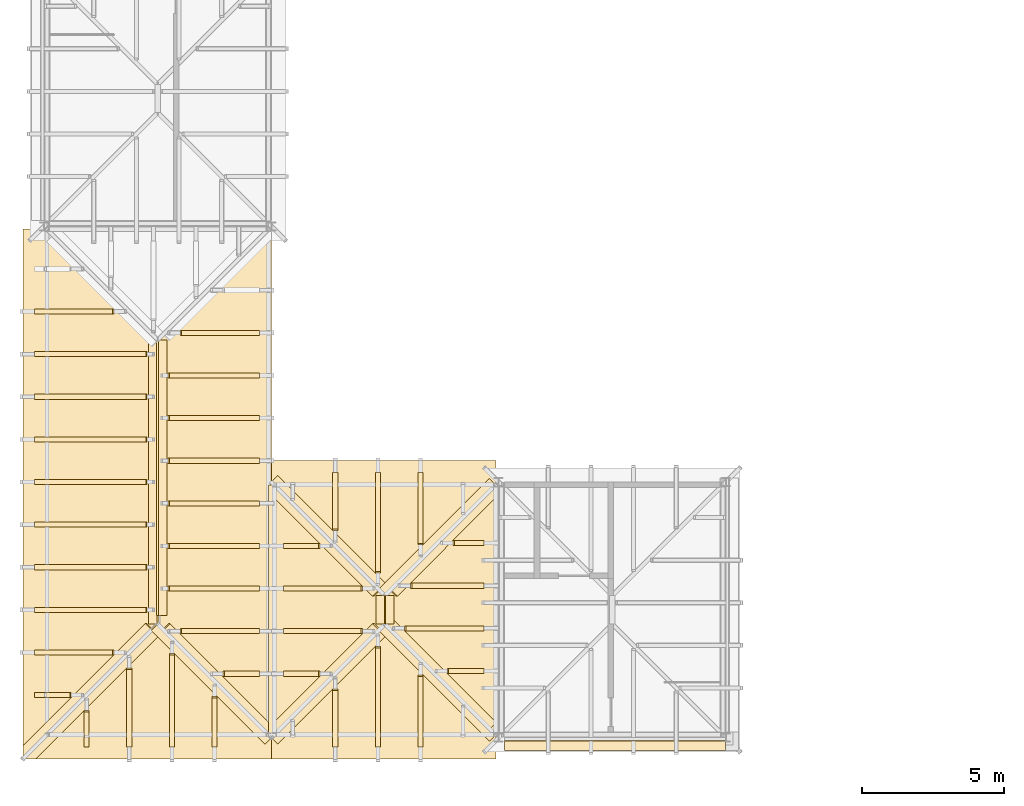
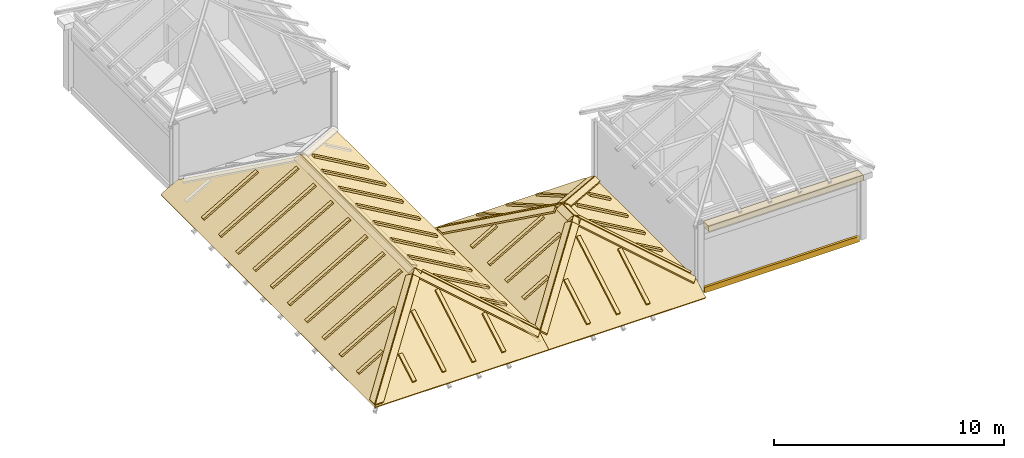
# One storey, part 88 of 111: 63 coverings.
"""IFC4 building model written with IfcOpenShell, lengths in metres."""

from ifc_helpers import new_model, si_unit, direction, frame, origin, origin_2d, place, context, subcontext, project, spatial, polyline, rectangle, outline, extrude, material, layer, layer_set, type_object, element, save


model = new_model("IFC4")

# Units and contexts
model_context = context("Model", 3, precision=1e-05, world=origin(), true_north=direction((0.0, 1.0)))
body_context = subcontext(model_context, "Body", "Model", "MODEL_VIEW")
ifc_project = project(units=[si_unit("LENGTHUNIT", "METRE"), si_unit("AREAUNIT", "SQUARE_METRE"), si_unit("VOLUMEUNIT", "CUBIC_METRE"), si_unit("PLANEANGLEUNIT", "RADIAN"), si_unit("MASSUNIT", "GRAM", prefix="KILO")], contexts=[model_context])

# Site, building, storey
site_placement = place(None, origin())
site = spatial("IfcSite", under=ifc_project, at=site_placement, CompositionType="ELEMENT")
building_placement = place(site_placement, origin())
building = spatial("IfcBuilding", under=site, at=building_placement, Name="Kallimachos Central Library", CompositionType="ELEMENT")
storey_placement = place(building_placement, frame((0.0, 0.0, 14.39990234375)))
storey = spatial("IfcBuildingStorey", under=building, at=storey_placement, Name="L03", CompositionType="ELEMENT", Elevation=14.39990234375)

# Coverings
ifc_material_1 = material(Name="Glazed ceramic hip tile")
ifc_layer_1 = layer(ifc_material_1, 0.1201171875)
ifc_layer_set_1 = layer_set([ifc_layer_1], Name="Ceramic hip tile 300")
covering_type_1 = type_object("IfcCoveringType", Name="Ceramic hip tile 300", PredefinedType="MOLDING", material=ifc_layer_set_1)
covering_1_placement = place(storey_placement, frame((10.01416015625, 12.98583984375, 2.970703125), z_axis=(-0.000177863964, -0.49986378141, 0.866104017078), x_axis=(0.654787398165, -0.654670992406, -0.377702733518)))
element("IfcCovering", 1, at=covering_1_placement, inside=storey, type_object=covering_type_1, Name="R2 hip tile", PredefinedType="MOLDING", context=body_context, shape_type="SweptSolid", body=[
    extrude(outline(polyline([(0.0, 0.0), (0.32401084250448586, 1.3877787807814457e-17), (1.3098145957906078, -6.839545010763546), (1.0321374203480587, -7.160064381506266), (0.0, 0.0)])), origin(), (0.0, 0.0, -1.0), 0.1201171875),
])
covering_2_placement = place(storey_placement, frame((5.25, 8.2783203125, 0.236572265625), z_axis=(-0.500056470053, 6.8806951e-05, 0.865992795596), x_axis=(3.4407361e-05, 0.999999997633, -5.9586324e-05)))
element("IfcCovering", 2, at=covering_2_placement, inside=storey, type_object=covering_type_1, Name="R2 hip tile", PredefinedType="MOLDING", context=body_context, shape_type="SweptSolid", body=[
    extrude(outline(polyline([(0.0, 0.0), (0.4240722646211369, -1.436812724004609e-21), (4.7358398549606715, -4.978517721472949), (4.5236816493257255, -5.223531415251019), (0.0, 0.0)])), origin(), (0.0, 0.0, -1.0), 0.1201171875),
])
covering_3_placement = place(storey_placement, frame((13.98583984375, 8.98583984375, 0.661376953125), z_axis=(0.000349419295, -0.499725714678, 0.866183634107), x_axis=(-0.654787339018, -0.654787339018, -0.377501101091)))
element("IfcCovering", 3, at=covering_3_placement, inside=storey, type_object=covering_type_1, Name="R2 hip tile", PredefinedType="MOLDING", context=body_context, shape_type="SweptSolid", body=[
    extrude(outline(polyline([(0.0, 0.0), (0.32401085128391205, 6.938893903907228e-18), (-0.5477623213763868, -6.047561401386236), (-0.8717731726602993, -6.047561401386235), (0.0, 0.0)])), origin(), (0.0, 0.0, -1.0), 0.1201171875),
])
covering_4_placement = place(storey_placement, frame((10.226318359375, 12.802001953125, 2.848388671875), z_axis=(0.500044897237, 7.3953215e-05, 0.865999477643), x_axis=(0.654649370966, 0.654600991784, -0.378063146377)))
element("IfcCovering", 4, at=covering_4_placement, inside=storey, type_object=covering_type_1, Name="R2 hip tile", PredefinedType="MOLDING", context=body_context, shape_type="SweptSolid", body=[
    extrude(outline(polyline([(0.0, 0.0), (0.324103091970581, -6.938893903907228e-18), (1.1014710053747216, -5.384616891049818), (0.8238728797084032, -5.705204735665491), (0.0, 0.0)])), origin(), (0.0, 0.0, -1.0), 0.1201171875),
])
covering_5_placement = place(storey_placement, frame((9.679931640625, 13.0, 2.794189453125), z_axis=(-0.500230644515, 0.0, 0.865892200154), x_axis=(0.0, 1.0, 0.0)))
element("IfcCovering", 5, at=covering_5_placement, inside=storey, type_object=covering_type_1, Name="R2 ridge tile", PredefinedType="MOLDING", context=body_context, shape_type="SweptSolid", body=[
    extrude(outline(polyline([(0.0, 0.0), (10.0, 0.0), (10.0, -0.3465198416980768), (0.0, -0.3465198416980768), (0.0, 0.0)])), origin(), (0.0, 0.0, -1.0), 0.1201171875),
])
covering_6_placement = place(storey_placement, frame((10.02001953125, 23.0, 2.967529296875), z_axis=(0.500230644515, 0.0, 0.865892200154), x_axis=(0.865892200154, 0.0, -0.500230644515)))
element("IfcCovering", 6, at=covering_6_placement, inside=storey, type_object=covering_type_1, Name="R2 ridge tile", PredefinedType="MOLDING", context=body_context, shape_type="SweptSolid", body=[
    extrude(outline(polyline([(0.0, 0.0), (0.3465198416980768, 0.0), (0.3465198416980768, -9.699951171875), (0.0, -9.699951171875), (0.0, 0.0)])), origin(), (0.0, 0.0, -1.0), 0.1201171875),
])
covering_7_placement = place(storey_placement, frame((14.226318359375, 8.773681640625, 0.5390625), z_axis=(-0.000349419295, -0.499725714678, 0.866183634107), x_axis=(-0.654787339018, 0.654787339018, 0.377501101091)))
element("IfcCovering", 7, at=covering_7_placement, inside=storey, type_object=covering_type_1, Name="R1 hip tile", PredefinedType="MOLDING", context=body_context, shape_type="SweptSolid", body=[
    extrude(outline(polyline([(0.0, 0.0), (0.32401085128391205, -6.938893903907228e-18), (1.1957840239442117, -6.047561401386235), (0.8717731726602993, -6.047561401386235), (0.0, 0.0)])), origin(), (0.0, 0.0, -1.0), 0.1201171875),
])
covering_8_placement = place(storey_placement, frame((14.0, 9.0283203125, 0.669677734375), z_axis=(-0.500044897237, 7.3953215e-05, 0.865999477643), x_axis=(3.6979928e-05, 0.999999997265, -6.4043446e-05)))
element("IfcCovering", 8, at=covering_8_placement, inside=storey, type_object=covering_type_1, Name="R1 hip tile", PredefinedType="MOLDING", context=body_context, shape_type="SweptSolid", body=[
    extrude(outline(polyline([(0.0, 0.0), (0.4240722644653579, 0.0), (3.9858398546494347, -4.1124459351684655), (3.7736816486249953, -4.357459628339648), (0.0, 0.0)])), origin(), (0.0, 0.0, -1.0), 0.1201171875),
])
covering_9_placement = place(storey_placement, frame((21.885986328125, 9.0859375, 0.71923828125), z_axis=(0.000105767282, -0.499916877138, 0.866073383014), x_axis=(-0.655031161735, -0.654441298308, -0.377678122513)))
element("IfcCovering", 9, at=covering_9_placement, inside=storey, type_object=covering_type_1, Name="R1 hip tile", PredefinedType="MOLDING", context=body_context, shape_type="SweptSolid", body=[
    extrude(outline(polyline([(0.0, 0.0), (0.32426294346696494, -1.3877787807814457e-17), (-0.5238578684375791, -5.8965550119644545), (-0.8478686856144441, -5.896659521609351), (0.0, 0.0)])), origin(), (0.0, 0.0, -1.0), 0.1201171875),
])
covering_10_placement = place(storey_placement, frame((18.01416015625, 13.01416015625, 2.970703125), z_axis=(0.499830822626, -0.00024615667, 0.866123021378), x_axis=(0.654707714388, 0.654787386545, -0.377639096417)))
element("IfcCovering", 10, at=covering_10_placement, inside=storey, type_object=covering_type_1, Name="R1 hip tile", PredefinedType="MOLDING", context=body_context, shape_type="SweptSolid", body=[
    extrude(outline(polyline([(0.0, 0.0), (0.32401084717176165, 4.85722573273506e-17), (1.124566231772647, -5.554312032280308), (1.1061823085664182, -5.575532370329881), (0.8037566191182562, -5.575497320784226), (0.0, 0.0)])), origin(), (0.0, 0.0, -1.0), 0.1201171875),
])
covering_11_placement = place(storey_placement, frame((14.01416015625, 18.01416015625, 0.661376953125), z_axis=(-0.000349419295, 0.499725714678, 0.866183634107), x_axis=(0.654787339018, 0.654787339018, -0.377501101091)))
element("IfcCovering", 11, at=covering_11_placement, inside=storey, type_object=covering_type_1, Name="R1 hip tile", PredefinedType="MOLDING", context=body_context, shape_type="SweptSolid", body=[
    extrude(outline(polyline([(0.0, 0.0), (0.32401085128391205, 6.938893903907228e-18), (-0.5477623213763868, -6.047561401386236), (-0.8717731726602993, -6.047561401386235), (0.0, 0.0)])), origin(), (0.0, 0.0, -1.0), 0.1201171875),
])
covering_12_placement = place(storey_placement, frame((17.773681640625, 14.197998046875, 2.848388671875), z_axis=(-0.500044897237, -7.3953215e-05, 0.865999477643), x_axis=(-0.654649370966, -0.654600991784, -0.378063146377)))
element("IfcCovering", 12, at=covering_12_placement, inside=storey, type_object=covering_type_1, Name="R1 hip tile", PredefinedType="MOLDING", context=body_context, shape_type="SweptSolid", body=[
    extrude(outline(polyline([(0.0, 0.0), (0.324103091970581, -6.938893903907228e-18), (1.1014710053747216, -5.384616891049818), (0.8238728797084032, -5.705204735665491), (0.0, 0.0)])), origin(), (0.0, 0.0, -1.0), 0.1201171875),
])
covering_13_placement = place(storey_placement, frame((21.673583984375, 18.126220703125, 0.5966796875), z_axis=(0.000105767282, 0.499916877138, 0.866073383014), x_axis=(0.655031161735, -0.654441298308, 0.377678122513)))
element("IfcCovering", 13, at=covering_13_placement, inside=storey, type_object=covering_type_1, Name="R1 hip tile", PredefinedType="MOLDING", context=body_context, shape_type="SweptSolid", body=[
    extrude(outline(polyline([(0.0, 0.0), (0.32426294346696494, 1.3877787807814457e-17), (1.1721316290814092, -5.896659521609351), (0.8481208119045438, -5.8965550119644545), (0.0, 0.0)])), origin(), (0.0, 0.0, -1.0), 0.1201171875),
])
covering_14_placement = place(storey_placement, frame((21.89990234375, 17.87158203125, 0.727294921875), z_axis=(0.500068459862, -6.3475207e-05, 0.86598587253), x_axis=(-3.1741949e-05, -0.999999997985, -5.4968633e-05)))
element("IfcCovering", 14, at=covering_14_placement, inside=storey, type_object=covering_type_1, Name="R1 hip tile", PredefinedType="MOLDING", context=body_context, shape_type="SweptSolid", body=[
    extrude(outline(polyline([(0.0, 0.0), (0.4240722647706848, 2.873625448009218e-21), (3.8857421953280253, -3.996950230992876), (3.6735839900669918, -4.2419639253535575), (0.0, 0.0)])), origin(), (0.0, 0.0, -1.0), 0.1201171875),
])
covering_15_placement = place(storey_placement, frame((17.679931640625, 13.0, 2.794189453125), z_axis=(-0.500230644515, 0.0, 0.865892200154), x_axis=(0.0, 1.0, 0.0)))
element("IfcCovering", 15, at=covering_15_placement, inside=storey, type_object=covering_type_1, Name="R1 ridge tile", PredefinedType="MOLDING", context=body_context, shape_type="SweptSolid", body=[
    extrude(outline(polyline([(0.0, 0.0), (1.0, 0.0), (1.0, -0.3465198416980768), (0.0, -0.3465198416980768), (0.0, 0.0)])), origin(), (0.0, 0.0, -1.0), 0.1201171875),
])
covering_16_placement = place(storey_placement, frame((18.02001953125, 14.0, 2.967529296875), z_axis=(0.500230644515, 0.0, 0.865892200154), x_axis=(0.865892200154, 0.0, -0.500230644515)))
element("IfcCovering", 16, at=covering_16_placement, inside=storey, type_object=covering_type_1, Name="R1 ridge tile", PredefinedType="MOLDING", context=body_context, shape_type="SweptSolid", body=[
    extrude(outline(polyline([(0.0, 0.0), (0.3465198416980768, 0.0), (0.3465198416980768, -1.0), (0.0, -1.0), (0.0, 0.0)])), origin(), (0.0, 0.0, -1.0), 0.1201171875),
])
ifc_material_2 = material(Name="Glazed ceramic roll tile")
ifc_layer_2 = layer(ifc_material_2, 0.10009765625)
ifc_layer_set_2 = layer_set([ifc_layer_2], Name="Ceramic roll tile rib 180")
covering_type_2 = type_object("IfcCoveringType", Name="Ceramic roll tile rib 180", PredefinedType="ROOFING", material=ifc_layer_set_2)
covering_17_placement = place(storey_placement, frame((7.409912109375, 8.669921875, 0.4560546875), z_axis=(0.0, -0.499984039138, 0.866034618596), x_axis=(0.0, 0.866034618596, 0.499984039138)))
element("IfcCovering", 17, at=covering_17_placement, inside=storey, type_object=covering_type_2, Name="R2 roll tile rib", PredefinedType="ROOFING", context=body_context, shape_type="SweptSolid", body=[
    extrude(outline(polyline([(0.0, 0.0), (1.4272916553597355, 0.0), (1.4272916553597355, -0.18017578125), (0.0, -0.18017578125), (0.0, 0.0)])), origin(), (0.0, 0.0, -1.0), 0.10009765625),
])
covering_18_placement = place(storey_placement, frame((8.909912109375, 8.669921875, 0.4560546875), z_axis=(0.0, -0.499978876315, 0.866037599206), x_axis=(0.0, 0.866037599206, 0.499978876315)))
element("IfcCovering", 18, at=covering_18_placement, inside=storey, type_object=covering_type_2, Name="R2 roll tile rib", PredefinedType="ROOFING", context=body_context, shape_type="SweptSolid", body=[
    extrude(outline(polyline([(0.0, 0.0), (3.1593131601712936, 0.0), (3.1593131601712936, -0.18017578125), (0.0, -0.18017578125), (0.0, 0.0)])), origin(), (0.0, 0.0, -1.0), 0.10009765625),
])
covering_19_placement = place(storey_placement, frame((10.409912109375, 8.669921875, 0.4560546875), z_axis=(0.0, -0.499961884049, 0.866047408921), x_axis=(0.0, 0.866047408921, 0.499961884049)))
element("IfcCovering", 19, at=covering_19_placement, inside=storey, type_object=covering_type_2, Name="R2 roll tile rib", PredefinedType="ROOFING", context=body_context, shape_type="SweptSolid", body=[
    extrude(outline(polyline([(0.0, 0.0), (3.736612974117721, 0.0), (3.736612974117721, -0.18017578125), (0.0, -0.18017578125), (0.0, 0.0)])), origin(), (0.0, 0.0, -1.0), 0.10009765625),
])
covering_20_placement = place(storey_placement, frame((11.909912109375, 8.669921875, 0.4560546875), z_axis=(0.0, -0.499950878181, 0.866053762422), x_axis=(0.0, 0.866053762422, 0.499950878181)))
element("IfcCovering", 20, at=covering_20_placement, inside=storey, type_object=covering_type_2, Name="R2 roll tile rib", PredefinedType="ROOFING", context=body_context, shape_type="SweptSolid", body=[
    extrude(outline(polyline([(0.0, 0.0), (2.0045914696091076, 0.0), (2.0045914696091076, -0.18017578125), (0.0, -0.18017578125), (0.0, 0.0)])), origin(), (0.0, 0.0, -1.0), 0.10009765625),
])
covering_21_placement = place(storey_placement, frame((5.669921875, 10.409912109375, 0.4560546875), z_axis=(-0.499984039138, 0.0, 0.866034618596), x_axis=(0.866034618596, 0.0, 0.499984039138)))
element("IfcCovering", 21, at=covering_21_placement, inside=storey, type_object=covering_type_2, Name="R2 roll tile rib", PredefinedType="ROOFING", context=body_context, shape_type="SweptSolid", body=[
    extrude(outline(polyline([(0.0, 0.0), (1.4272916553597355, 0.0), (1.4272916553597355, 0.18017578125), (0.0, 0.18017578125), (0.0, 0.0)])), origin(), (0.0, 0.0, -1.0), 0.10009765625),
])
covering_22_placement = place(storey_placement, frame((5.669921875, 11.909912109375, 0.4560546875), z_axis=(-0.499978876315, 0.0, 0.866037599206), x_axis=(0.866037599206, 0.0, 0.499978876315)))
element("IfcCovering", 22, at=covering_22_placement, inside=storey, type_object=covering_type_2, Name="R2 roll tile rib", PredefinedType="ROOFING", context=body_context, shape_type="SweptSolid", body=[
    extrude(outline(polyline([(0.0, 0.0), (3.1593131601712936, 0.0), (3.1593131601712936, 0.18017578125), (0.0, 0.18017578125), (0.0, 0.0)])), origin(), (0.0, 0.0, -1.0), 0.10009765625),
])
for number, where, z_axis, x_axis, name in (
    (23, (5.669921875, 13.409912109375, 0.4560546875), (-0.499965855636, 0.0, 0.866045116145), (0.866045116145, 0.0, 0.499965855636), "R2 roll tile rib"),
    (24, (5.669921875, 14.909912109375, 0.4560546875), (-0.499965855636, 0.0, 0.866045116145), (0.866045116145, 0.0, 0.499965855636), "R2 roll tile rib"),
    (25, (5.669921875, 16.409912109375, 0.4560546875), (-0.499965855636, 0.0, 0.866045116145), (0.866045116145, 0.0, 0.499965855636), "R2 roll tile rib"),
    (26, (5.669921875, 17.909912109375, 0.4560546875), (-0.499965855636, 0.0, 0.866045116145), (0.866045116145, 0.0, 0.499965855636), "R2 roll tile rib"),
    (27, (5.669921875, 19.409912109375, 0.4560546875), (-0.499965855636, 0.0, 0.866045116145), (0.866045116145, 0.0, 0.499965855636), "R2 roll tile rib"),
    (28, (5.669921875, 20.909912109375, 0.4560546875), (-0.499965855636, 0.0, 0.866045116145), (0.866045116145, 0.0, 0.499965855636), "R2 roll tile rib"),
    (29, (5.669921875, 22.409912109375, 0.4560546875), (-0.499965855636, 0.0, 0.866045116145), (0.866045116145, 0.0, 0.499965855636), "R2 roll tile rib"),
):
    element("IfcCovering", number, at=place(storey_placement, frame(where, z_axis=z_axis, x_axis=x_axis)), inside=storey, type_object=covering_type_2, Name=name, PredefinedType="ROOFING", context=body_context, shape_type="SweptSolid", body=[
        extrude(outline(polyline([(0.0, 0.0), (4.5149567581505545, 0.0), (4.5149567581505545, 0.18017578125), (0.0, 0.18017578125), (0.0, 0.0)])), origin(), (0.0, 0.0, -1.0), 0.10009765625),
    ])
covering_23_placement = place(storey_placement, frame((5.669921875, 23.909912109375, 0.4560546875), z_axis=(-0.499978876315, 0.0, 0.866037599206), x_axis=(0.866037599206, 0.0, 0.499978876315)))
element("IfcCovering", 30, at=covering_23_placement, inside=storey, type_object=covering_type_2, Name="R2 roll tile rib", PredefinedType="ROOFING", context=body_context, shape_type="SweptSolid", body=[
    extrude(outline(polyline([(0.0, 0.0), (3.1593131601712936, 0.0), (3.1593131601712936, 0.18017578125), (0.0, 0.18017578125), (0.0, 0.0)])), origin(), (0.0, 0.0, -1.0), 0.10009765625),
])
covering_24_placement = place(storey_placement, frame((12.343994140625, 11.159912109375, 1.6025390625), z_axis=(0.499984039138, 0.0, 0.866034618596), x_axis=(0.866034618596, 0.0, -0.499984039138)))
element("IfcCovering", 31, at=covering_24_placement, inside=storey, type_object=covering_type_2, Name="R2 roll tile rib", PredefinedType="ROOFING", context=body_context, shape_type="SweptSolid", body=[
    extrude(outline(polyline([(0.0, 0.0), (1.4272916553597355, 0.0), (1.4272916553597355, 0.18017578125), (0.0, 0.18017578125), (0.0, 0.0)])), origin(), (0.0, 0.0, -1.0), 0.10009765625),
])
covering_25_placement = place(storey_placement, frame((10.843994140625, 12.659912109375, 2.468505859375), z_axis=(0.499978876315, 0.0, 0.866037599206), x_axis=(0.866037599206, 0.0, -0.499978876315)))
element("IfcCovering", 32, at=covering_25_placement, inside=storey, type_object=covering_type_2, Name="R2 roll tile rib", PredefinedType="ROOFING", context=body_context, shape_type="SweptSolid", body=[
    extrude(outline(polyline([(0.0, 0.0), (3.1593131601712936, 0.0), (3.1593131601712936, 0.18017578125), (0.0, 0.18017578125), (0.0, 0.0)])), origin(), (0.0, 0.0, -1.0), 0.10009765625),
])
for number, where, z_axis, x_axis, name in (
    (33, (10.419921875, 14.159912109375, 2.71337890625), (0.499988865904, 0.0, 0.866031831963), (0.866031831963, 0.0, -0.499988865904), "R2 roll tile rib"),
    (34, (10.419921875, 15.659912109375, 2.71337890625), (0.499988865904, 0.0, 0.866031831963), (0.866031831963, 0.0, -0.499988865904), "R2 roll tile rib"),
    (35, (10.419921875, 17.159912109375, 2.71337890625), (0.499988865904, 0.0, 0.866031831963), (0.866031831963, 0.0, -0.499988865904), "R2 roll tile rib"),
    (36, (10.419921875, 18.659912109375, 2.71337890625), (0.499988865904, 0.0, 0.866031831963), (0.866031831963, 0.0, -0.499988865904), "R2 roll tile rib"),
    (37, (10.419921875, 20.159912109375, 2.71337890625), (0.499988865904, 0.0, 0.866031831963), (0.866031831963, 0.0, -0.499988865904), "R2 roll tile rib"),
    (38, (10.419921875, 21.659912109375, 2.71337890625), (0.499988865904, 0.0, 0.866031831963), (0.866031831963, 0.0, -0.499988865904), "R2 roll tile rib"),
):
    element("IfcCovering", number, at=place(storey_placement, frame(where, z_axis=z_axis, x_axis=x_axis)), inside=storey, type_object=covering_type_2, Name=name, PredefinedType="ROOFING", context=body_context, shape_type="SweptSolid", body=[
        extrude(outline(polyline([(0.0, 0.0), (3.649007038042239, 0.0), (3.649007038042239, 0.18017578125), (0.0, 0.18017578125), (0.0, 0.0)])), origin(), (0.0, 0.0, -1.0), 0.10009765625),
    ])
covering_26_placement = place(storey_placement, frame((10.843994140625, 23.159912109375, 2.468505859375), z_axis=(0.499978876315, 0.0, 0.866037599206), x_axis=(0.866037599206, 0.0, -0.499978876315)))
element("IfcCovering", 39, at=covering_26_placement, inside=storey, type_object=covering_type_2, Name="R2 roll tile rib", PredefinedType="ROOFING", context=body_context, shape_type="SweptSolid", body=[
    extrude(outline(polyline([(0.0, 0.0), (3.1593131601712936, 0.0), (3.1593131601712936, 0.18017578125), (0.0, 0.18017578125), (0.0, 0.0)])), origin(), (0.0, 0.0, -1.0), 0.10009765625),
])
covering_27_placement = place(storey_placement, frame((16.159912109375, 8.669921875, 0.4560546875), z_axis=(0.0, -0.499940558499, 0.866059719631), x_axis=(0.0, 0.866059719631, 0.499940558499)))
element("IfcCovering", 40, at=covering_27_placement, inside=storey, type_object=covering_type_2, Name="R1 roll tile rib", PredefinedType="ROOFING", context=body_context, shape_type="SweptSolid", body=[
    extrude(outline(polyline([(0.0, 0.0), (2.2932413774197467, 0.0), (2.2932413774197467, -0.18017578125), (0.0, -0.18017578125), (0.0, 0.0)])), origin(), (0.0, 0.0, -1.0), 0.10009765625),
])
covering_28_placement = place(storey_placement, frame((17.659912109375, 8.669921875, 0.4560546875), z_axis=(0.0, -0.499955215625, 0.866051258511), x_axis=(0.0, 0.866051258511, 0.499955215625)))
element("IfcCovering", 41, at=covering_28_placement, inside=storey, type_object=covering_type_2, Name="R1 roll tile rib", PredefinedType="ROOFING", context=body_context, shape_type="SweptSolid", body=[
    extrude(outline(polyline([(0.0, 0.0), (4.025262881514316, 0.0), (4.025262881514316, -0.18017578125), (0.0, -0.18017578125), (0.0, 0.0)])), origin(), (0.0, 0.0, -1.0), 0.10009765625),
])
covering_29_placement = place(storey_placement, frame((19.159912109375, 8.669921875, 0.4560546875), z_axis=(0.0, -0.499989935246, 0.866031214595), x_axis=(0.0, 0.866031214595, 0.499989935246)))
element("IfcCovering", 42, at=covering_29_placement, inside=storey, type_object=covering_type_2, Name="R1 roll tile rib", PredefinedType="ROOFING", context=body_context, shape_type="SweptSolid", body=[
    extrude(outline(polyline([(0.0, 0.0), (2.8706632537917485, 0.0), (2.8706632537917485, -0.18017578125), (0.0, -0.18017578125), (0.0, 0.0)])), origin(), (0.0, 0.0, -1.0), 0.10009765625),
])
covering_30_placement = place(storey_placement, frame((16.159912109375, 16.343994140625, 1.6025390625), z_axis=(0.0, 0.499940558499, 0.866059719631), x_axis=(0.0, 0.866059719631, -0.499940558499)))
element("IfcCovering", 43, at=covering_30_placement, inside=storey, type_object=covering_type_2, Name="R1 roll tile rib", PredefinedType="ROOFING", context=body_context, shape_type="SweptSolid", body=[
    extrude(outline(polyline([(0.0, 0.0), (2.2932413774197467, 0.0), (2.2932413774197467, -0.18017578125), (0.0, -0.18017578125), (0.0, 0.0)])), origin(), (0.0, 0.0, -1.0), 0.10009765625),
])
covering_31_placement = place(storey_placement, frame((17.659912109375, 14.843994140625, 2.468505859375), z_axis=(0.0, 0.499955215625, 0.866051258511), x_axis=(0.0, 0.866051258511, -0.499955215625)))
element("IfcCovering", 44, at=covering_31_placement, inside=storey, type_object=covering_type_2, Name="R1 roll tile rib", PredefinedType="ROOFING", context=body_context, shape_type="SweptSolid", body=[
    extrude(outline(polyline([(0.0, 0.0), (4.025262881514316, 0.0), (4.025262881514316, -0.18017578125), (0.0, -0.18017578125), (0.0, 0.0)])), origin(), (0.0, 0.0, -1.0), 0.10009765625),
])
covering_32_placement = place(storey_placement, frame((19.159912109375, 15.843994140625, 1.891357421875), z_axis=(0.0, 0.499989935246, 0.866031214595), x_axis=(0.0, 0.866031214595, -0.499989935246)))
element("IfcCovering", 45, at=covering_32_placement, inside=storey, type_object=covering_type_2, Name="R1 roll tile rib", PredefinedType="ROOFING", context=body_context, shape_type="SweptSolid", body=[
    extrude(outline(polyline([(0.0, 0.0), (2.8706632537917485, 0.0), (2.8706632537917485, -0.18017578125), (0.0, -0.18017578125), (0.0, 0.0)])), origin(), (0.0, 0.0, -1.0), 0.10009765625),
])
covering_33_placement = place(storey_placement, frame((14.419921875, 11.159912109375, 0.888916015625), z_axis=(-0.499984039138, 0.0, 0.866034618596), x_axis=(0.866034618596, 0.0, 0.499984039138)))
element("IfcCovering", 46, at=covering_33_placement, inside=storey, type_object=covering_type_2, Name="R1 roll tile rib", PredefinedType="ROOFING", context=body_context, shape_type="SweptSolid", body=[
    extrude(outline(polyline([(0.0, 0.0), (1.4272916553597355, 0.0), (1.4272916553597355, 0.18017578125), (0.0, 0.18017578125), (0.0, 0.0)])), origin(), (0.0, 0.0, -1.0), 0.10009765625),
])
for number, where, z_axis, x_axis, name in (
    (47, (14.419921875, 12.659912109375, 0.888916015625), (-0.499978876315, 0.0, 0.866037599206), (0.866037599206, 0.0, 0.499978876315), "R1 roll tile rib"),
    (48, (14.419921875, 14.159912109375, 0.888916015625), (-0.499978876315, 0.0, 0.866037599206), (0.866037599206, 0.0, 0.499978876315), "R1 roll tile rib"),
):
    element("IfcCovering", number, at=place(storey_placement, frame(where, z_axis=z_axis, x_axis=x_axis)), inside=storey, type_object=covering_type_2, Name=name, PredefinedType="ROOFING", context=body_context, shape_type="SweptSolid", body=[
        extrude(outline(polyline([(0.0, 0.0), (3.1593131601712936, 0.0), (3.1593131601712936, 0.18017578125), (0.0, 0.18017578125), (0.0, 0.0)])), origin(), (0.0, 0.0, -1.0), 0.10009765625),
    ])
covering_34_placement = place(storey_placement, frame((14.419921875, 15.659912109375, 0.888916015625), z_axis=(-0.499984039138, 0.0, 0.866034618596), x_axis=(0.866034618596, 0.0, 0.499984039138)))
element("IfcCovering", 49, at=covering_34_placement, inside=storey, type_object=covering_type_2, Name="R1 roll tile rib", PredefinedType="ROOFING", context=body_context, shape_type="SweptSolid", body=[
    extrude(outline(polyline([(0.0, 0.0), (1.4272916553597355, 0.0), (1.4272916553597355, 0.18017578125), (0.0, 0.18017578125), (0.0, 0.0)])), origin(), (0.0, 0.0, -1.0), 0.10009765625),
])
covering_35_placement = place(storey_placement, frame((20.243896484375, 11.260009765625, 1.660400390625), z_axis=(0.499984039138, 0.0, 0.866034618596), x_axis=(0.866034618596, 0.0, -0.499984039138)))
element("IfcCovering", 50, at=covering_35_placement, inside=storey, type_object=covering_type_2, Name="R1 roll tile rib", PredefinedType="ROOFING", context=body_context, shape_type="SweptSolid", body=[
    extrude(outline(polyline([(0.0, 0.0), (1.4272916553597355, 0.0), (1.4272916553597355, 0.17993164062500003), (0.0, 0.17993164062500003), (0.0, 0.0)])), origin(), (0.0, 0.0, -1.0), 0.10009765625),
])
covering_36_placement = place(storey_placement, frame((18.743896484375, 12.760009765625, 2.5263671875), z_axis=(0.499978876315, 0.0, 0.866037599206), x_axis=(0.866037599206, 0.0, -0.499978876315)))
element("IfcCovering", 51, at=covering_36_placement, inside=storey, type_object=covering_type_2, Name="R1 roll tile rib", PredefinedType="ROOFING", context=body_context, shape_type="SweptSolid", body=[
    extrude(outline(polyline([(0.0, 0.0), (3.159313160171293, 0.0), (3.159313160171293, 0.179931640625), (0.0, 0.179931640625), (0.0, 0.0)])), origin(), (0.0, 0.0, -1.0), 0.10009765625),
])
covering_37_placement = place(storey_placement, frame((18.944091796875, 14.260009765625, 2.410888671875), z_axis=(0.500003924108, 0.0, 0.866023138188), x_axis=(0.866023138188, 0.0, -0.500003924108)))
element("IfcCovering", 52, at=covering_37_placement, inside=storey, type_object=covering_type_2, Name="R1 roll tile rib", PredefinedType="ROOFING", context=body_context, shape_type="SweptSolid", body=[
    extrude(outline(polyline([(0.0, 0.0), (2.9281996751054913, 0.0), (2.9281996751054913, 0.179931640625), (0.0, 0.179931640625), (0.0, 0.0)])), origin(), (0.0, 0.0, -1.0), 0.10009765625),
])
covering_38_placement = place(storey_placement, frame((20.444091796875, 15.760009765625, 1.544921875), z_axis=(0.500046351717, 0.0, 0.865998640954), x_axis=(0.865998640954, 0.0, -0.500046351717)))
element("IfcCovering", 53, at=covering_38_placement, inside=storey, type_object=covering_type_2, Name="R1 roll tile rib", PredefinedType="ROOFING", context=body_context, shape_type="SweptSolid", body=[
    extrude(outline(polyline([(0.0, 0.0), (1.196178172674637, 0.0), (1.196178172674637, 0.179931640625), (0.0, 0.179931640625), (0.0, 0.0)])), origin(), (0.0, 0.0, -1.0), 0.10009765625),
])
ifc_material_3 = material(Name="Glazed ceramic tile on deck")
ifc_layer_3 = layer(ifc_material_3, 0.10009765625)
ifc_layer_set_3 = layer_set([ifc_layer_3], Name="Glazed ceramic tile roofing 100")
covering_type_3 = type_object("IfcCoveringType", Name="Glazed ceramic tile roofing 100", PredefinedType="ROOFING", material=ifc_layer_set_3)
covering_39_placement = place(storey_placement, frame((5.25, 8.25, 0.09814453125), z_axis=(1.0675656e-05, -0.499962314666, 0.866047160263), x_axis=(0.999999999943, 5.337426e-06, -9.245621e-06)))
element("IfcCovering", 54, at=covering_39_placement, inside=storey, type_object=covering_type_3, Name="R2 roofing S", PredefinedType="ROOFING", context=body_context, shape_type="SweptSolid", body=[
    extrude(outline(polyline([(0.0, 0.0), (8.749999999501384, 0.0), (8.750000000498618, 0.8659497217854737), (4.749999999273443, 5.484714421310624), (0.0, 0.0)])), origin(), (0.0, 0.0, -1.0), 0.10009765625),
])
covering_40_placement = place(storey_placement, frame((5.25, 8.25, 0.09814453125), z_axis=(-0.499968313221, 1.208648e-06, 0.866043697381), x_axis=(0.6546621075, 0.654661387093, 0.377936493679)))
element("IfcCovering", 55, at=covering_40_placement, inside=storey, type_object=covering_type_3, Name="R2 roofing W", PredefinedType="ROOFING", context=body_context, shape_type="SweptSolid", body=[
    extrude(outline(polyline([(0.0, 0.0), (7.255659328072601, -7.771561172376096e-16), (13.802273198998591, 7.559222633634581), (12.951359660793825, 13.455282052731073), (12.20937093750089, 14.097876391194962), (0.0, 0.0)])), origin(), (0.0, 0.0, -1.0), 0.10009765625),
])
covering_41_placement = place(storey_placement, frame((14.0, 9.0, 0.531005859375), z_axis=(0.499989460728, -2.220759e-06, 0.866031488547), x_axis=(1.110356e-06, 0.999999999998, 1.923247e-06)))
element("IfcCovering", 56, at=covering_41_placement, inside=storey, type_object=covering_type_3, Name="R2 roofing E", PredefinedType="ROOFING", context=body_context, shape_type="SweptSolid", body=[
    extrude(outline(polyline([(0.0, 0.0), (17.89990234370586, -3.79045175944768e-21), (17.899902343843454, 0.11561777648882438), (13.999999999946244, 4.618764701522673), (3.9999999999709033, 4.618764701522673), (0.0, 0.0)])), origin(), (0.0, 0.0, -1.0), 0.10009765625),
])
covering_42_placement = place(storey_placement, frame((14.0, 8.25, 0.09814453125), z_axis=(-7.00836e-06, -0.499959836809, 0.866048590743), x_axis=(0.999999999975, -3.503898e-06, 6.06958e-06)))
element("IfcCovering", 57, at=covering_42_placement, inside=storey, type_object=covering_type_3, Name="R1 roofing S", PredefinedType="ROOFING", context=body_context, shape_type="SweptSolid", body=[
    extrude(outline(polyline([(0.0, 0.0), (7.899902343555991, 3.3457387826238587e-21), (7.899902343380637, 0.9815674963509989), (4.00000000031102, 5.4847144211659975), (-6.373009638678386e-10, 0.8659497220491928), (0.0, 0.0)])), origin(), (0.0, 0.0, -1.0), 0.10009765625),
])
covering_43_placement = place(storey_placement, frame((21.89990234375, 17.89990234375, 0.5888671875), z_axis=(-7.00836e-06, 0.499959836809, 0.866048590743), x_axis=(1.79e-10, 0.866048590765, -0.499959836821)))
element("IfcCovering", 58, at=covering_43_placement, inside=storey, type_object=covering_type_3, Name="R1 roofing N", PredefinedType="ROOFING", context=body_context, shape_type="SweptSolid", body=[
    extrude(outline(polyline([(0.0, 0.0), (0.981567496350999, 8.470329472543003e-22), (0.9815674949397111, 7.89990234355599), (0.11561777289051815, 7.899902344038591), (-4.503146925511702, 3.899902342265147), (0.0, 0.0)])), origin(), (0.0, 0.0, -1.0), 0.10009765625),
])
covering_44_placement = place(storey_placement, frame((14.0, 18.0, 0.531005859375), z_axis=(-0.499987836815, 0.0, 0.866032426089), x_axis=(0.0, -1.0, 0.0)))
element("IfcCovering", 59, at=covering_44_placement, inside=storey, type_object=covering_type_3, Name="R1 roofing W", PredefinedType="ROOFING", context=body_context, shape_type="SweptSolid", body=[
    extrude(outline(polyline([(0.0, 0.0), (9.0, 0.0), (5.0, 4.618764701530794), (4.0, 4.618764701530794), (0.0, 0.0)])), origin(), (0.0, 0.0, -1.0), 0.10009765625),
])
covering_45_placement = place(storey_placement, frame((21.89990234375, 9.10009765625, 0.5888671875), z_axis=(0.499975879303, 0.0, 0.866039329428), x_axis=(0.0, 1.0, 0.0)))
element("IfcCovering", 60, at=covering_45_placement, inside=storey, type_object=covering_type_3, Name="R1 roofing E", PredefinedType="ROOFING", context=body_context, shape_type="SweptSolid", body=[
    extrude(outline(polyline([(0.0, 0.0), (8.7998046875, 0.0), (4.89990234375, 4.50314692558759), (3.89990234375, 4.50314692558759), (0.0, 0.0)])), origin(), (0.0, 0.0, -1.0), 0.10009765625),
])
ifc_material_4 = material(Name="Pentelic marble attic moulding", Category="masonry")
ifc_layer_4 = layer(ifc_material_4, 0.1201171875)
ifc_layer_set_4 = layer_set([ifc_layer_4], Name="Stone attic moulding 300")
covering_type_4 = type_object("IfcCoveringType", Name="Stone attic moulding 300", PredefinedType="MOLDING", material=ifc_layer_set_4)
covering_46_placement = place(storey_placement, frame((26.094970703125, 8.93994140625, -0.14990234375), z_axis=(0.0, 0.0, 1.0), x_axis=(1.0, 0.0, 0.0)))
element("IfcCovering", 61, at=covering_46_placement, inside=storey, type_object=covering_type_4, Name="Stone attic moulding 300 -L03-021", PredefinedType="MOLDING", context=body_context, shape_type="SweptSolid", body=[
    extrude(rectangle(XDim=7.7900390625, YDim=0.1201171875, at=origin_2d()), origin(), (0.0, 0.0, 1.0), 0.300048828125),
])
ifc_material_5 = material(Name="Pentelic marble cornice", Category="masonry")
ifc_layer_5 = layer(ifc_material_5, 0.449951171875)
ifc_layer_set_5 = layer_set([ifc_layer_5], Name="Stone cornice 450")
covering_type_5 = type_object("IfcCoveringType", Name="Stone cornice 450", PredefinedType="MOLDING", material=ifc_layer_set_5)
covering_47_placement = place(storey_placement, frame((26.094970703125, 8.77490234375, 3.30029296875), z_axis=(0.0, 0.0, 1.0), x_axis=(1.0, 0.0, 0.0)))
element("IfcCovering", 62, at=covering_47_placement, inside=storey, type_object=covering_type_5, Name="Stone cornice 450 -L03-021", PredefinedType="MOLDING", context=body_context, shape_type="SweptSolid", body=[
    extrude(rectangle(XDim=7.7900390625, YDim=0.449951171875, at=origin_2d()), origin(), (0.0, 0.0, 1.0), 0.300048828125),
])
ifc_material_6 = material(Name="Lead-coated copper sheet")
ifc_layer_6 = layer(ifc_material_6, 0.02001953125)
ifc_layer_set_6 = layer_set([ifc_layer_6], Name="Valley gutter lining")
covering_type_6 = type_object("IfcCoveringType", Name="Valley gutter lining", PredefinedType="MEMBRANE", material=ifc_layer_set_6)
covering_48_placement = place(storey_placement, frame((14.0, 13.5, 0.0), z_axis=(0.0, 0.0, 1.0), x_axis=(1.0, 0.0, 0.0)))
element("IfcCovering", 63, at=covering_48_placement, inside=storey, type_object=covering_type_6, Name="Valley gutter lining", PredefinedType="MEMBRANE", context=body_context, shape_type="SweptSolid", body=[
    extrude(rectangle(XDim=0.199951171875, YDim=8.800048828125, at=origin_2d()), origin(), (0.0, 0.0, 1.0), 0.02001953125),
])

save(model, "model.ifc")
